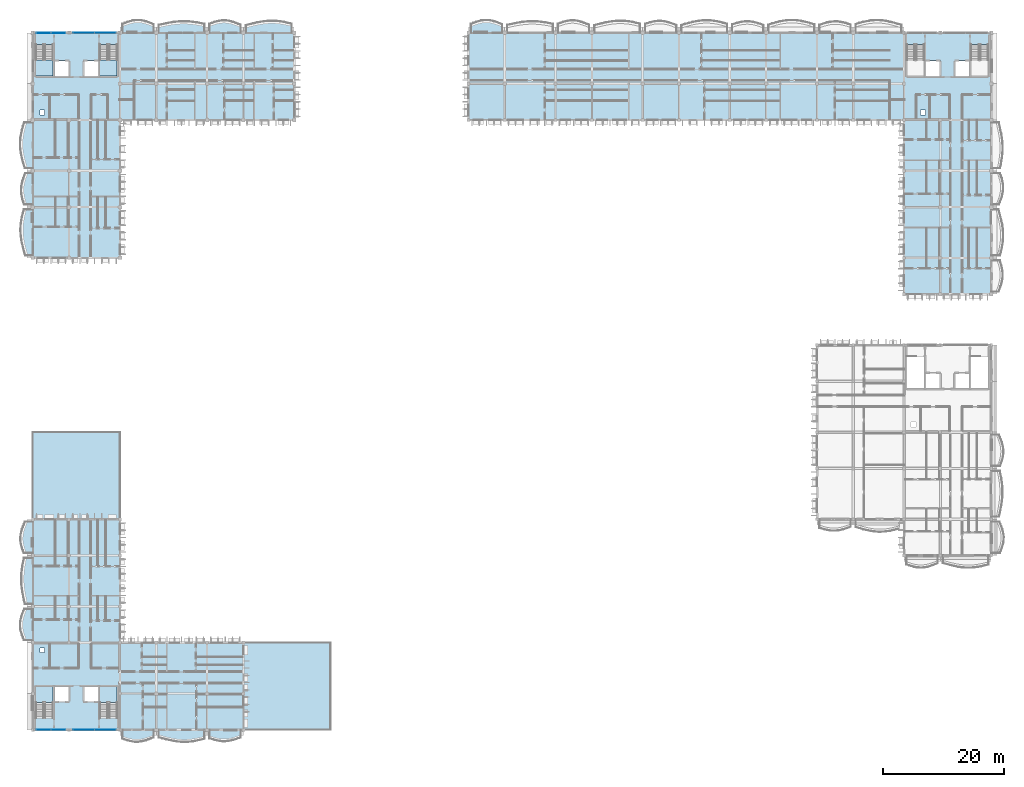
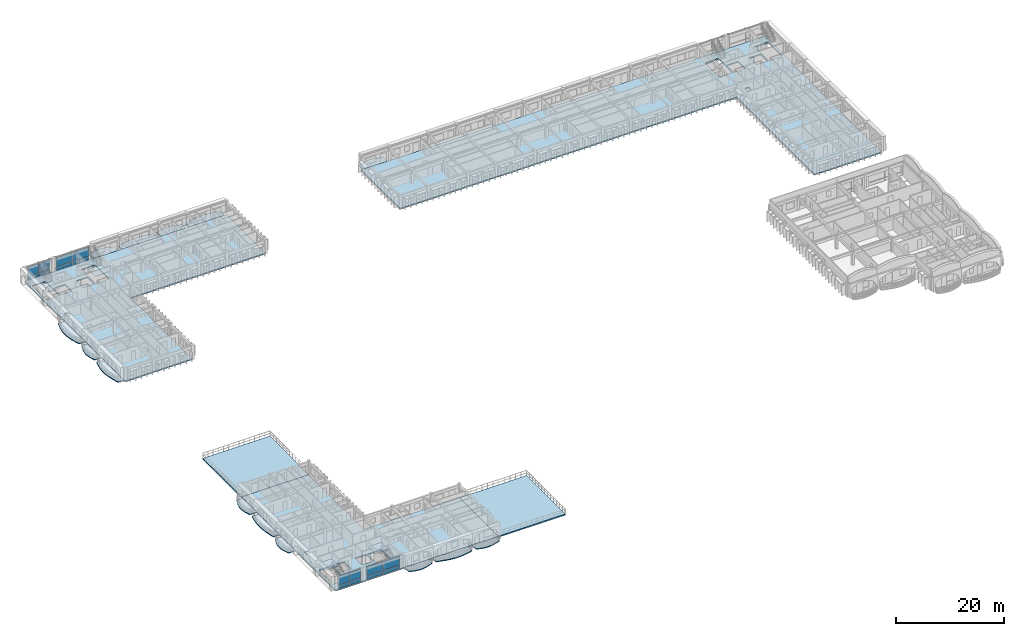
# One storey, part 10 of 59: 23 slabs, 16 plates, 8 elements without a shape of their own.
"""IFC4 building model written with IfcOpenShell, lengths in metres."""

from ifc_helpers import new_model, si_unit, direction, frame, origin, origin_2d, place, context, subcontext, project, spatial, polyline, rectangle, outline, extrude, material, layer, layer_set, type_object, element, aggregate, save


model = new_model("IFC4")

# Units and contexts
model_context = context("Model", 3, precision=1e-05, world=origin(), true_north=direction((0.0, 1.0)))
body_context = subcontext(model_context, "Body", "Model", "MODEL_VIEW")
ifc_project = project(units=[si_unit("LENGTHUNIT", "METRE"), si_unit("AREAUNIT", "SQUARE_METRE"), si_unit("VOLUMEUNIT", "CUBIC_METRE"), si_unit("PLANEANGLEUNIT", "RADIAN"), si_unit("MASSUNIT", "GRAM", prefix="KILO"), si_unit("THERMODYNAMICTEMPERATUREUNIT", "KELVIN")], contexts=[model_context])

# Site, building, storey
site_placement = place(None, origin())
site = spatial("IfcSite", under=ifc_project, at=site_placement, CompositionType="ELEMENT")
building_placement = place(site_placement, origin())
building = spatial("IfcBuilding", under=site, at=building_placement, Name="Thalorik Housing Commons", CompositionType="ELEMENT")
storey_placement = place(building_placement, frame((0.0, 0.0, 27.89990234375)))
storey = spatial("IfcBuildingStorey", under=building, at=storey_placement, Name="L08", CompositionType="ELEMENT", Elevation=27.89990234375)

# Curtain wall, plates
ifc_material_1 = material(Name="Anodised aluminium and solar-control low-E glass", Category="aluminium")
curtain_wall_type = type_object("IfcCurtainWallType", Name="ARC-CW-CORE", PredefinedType="USERDEFINED", material=ifc_material_1)
curtain_wall_1_placement = place(storey_placement, origin())
curtain_wall_1 = element("IfcCurtainWall", 1, at=curtain_wall_1_placement, inside=storey, type_object=curtain_wall_type, Name="L08 Curtain Wall CW-CORE-L08-A-036", ObjectType="CURTAIN WALL", PredefinedType="USERDEFINED")
ifc_material_2 = material(Name="Cobalt blue enamelled aluminium spandrel panel", Category="aluminium")
ifc_layer_1 = layer(ifc_material_2, 0.0458984375, Name="Cobalt blue enamelled aluminium spandrel panel", Category="aluminium")
ifc_layer_set_1 = layer_set([ifc_layer_1], Name="Cobalt blue enamelled aluminium spandrel panel")
plate_type_1 = type_object("IfcPlateType", Name="ARC-CP-BLU-46", PredefinedType="CURTAIN_PANEL", material=ifc_layer_set_1)
plate_1_placement = place(storey_placement, frame((20.375, 123.60009765625, 0.080078125), z_axis=(0.0, 0.0, 1.0), x_axis=(-1.0, 0.0, 0.0)))
plate_1 = element("IfcPlate", 2, at=plate_1_placement, type_object=plate_type_1, Name="CW-CORE-L08-A-036 Spandrel Panel 1", PredefinedType="CURTAIN_PANEL", context=body_context, shape_type="SweptSolid", body=[
    extrude(rectangle(XDim=3.489990234375, YDim=0.0458984375, at=origin_2d()), origin(), (0.0, 0.0, 1.0), 0.760009765625),
])
plate_2_placement = place(storey_placement, frame((16.824951171875, 123.60009765625, 0.080078125), z_axis=(0.0, 0.0, 1.0), x_axis=(-1.0, 0.0, 0.0)))
plate_2 = element("IfcPlate", 3, at=plate_2_placement, type_object=plate_type_1, Name="CW-CORE-L08-A-036 Spandrel Panel 2", PredefinedType="CURTAIN_PANEL", context=body_context, shape_type="SweptSolid", body=[
    extrude(rectangle(XDim=3.489990234375, YDim=0.0458984375, at=origin_2d()), origin(), (0.0, 0.0, 1.0), 0.760009765625),
])
ifc_material_3 = material(Name="Double solar-control low-E glass", Category="glass")
ifc_layer_2 = layer(ifc_material_3, 0.028076171875, Name="Double solar-control low-E glass", Category="glass")
ifc_layer_set_2 = layer_set([ifc_layer_2], Name="Double solar-control low-E glass")
plate_type_2 = type_object("IfcPlateType", Name="ARC-CP-GLZ-28", PredefinedType="CURTAIN_PANEL", material=ifc_layer_set_2)
plate_3_placement = place(storey_placement, frame((20.375, 123.60009765625, 0.920166015625), z_axis=(0.0, 0.0, 1.0), x_axis=(-1.0, 0.0, 0.0)))
plate_3 = element("IfcPlate", 4, at=plate_3_placement, type_object=plate_type_2, Name="CW-CORE-L08-A-036 Vision Panel 1", PredefinedType="CURTAIN_PANEL", context=body_context, shape_type="SweptSolid", body=[
    extrude(rectangle(XDim=3.489990234375, YDim=0.028076171875, at=origin_2d()), origin(), (0.0, 0.0, 1.0), 2.0400390625),
])
plate_4_placement = place(storey_placement, frame((16.824951171875, 123.60009765625, 0.920166015625), z_axis=(0.0, 0.0, 1.0), x_axis=(-1.0, 0.0, 0.0)))
plate_4 = element("IfcPlate", 5, at=plate_4_placement, type_object=plate_type_2, Name="CW-CORE-L08-A-036 Vision Panel 2", PredefinedType="CURTAIN_PANEL", context=body_context, shape_type="SweptSolid", body=[
    extrude(rectangle(XDim=3.489990234375, YDim=0.028076171875, at=origin_2d()), origin(), (0.0, 0.0, 1.0), 2.0400390625),
])
aggregate(curtain_wall_1, [plate_1, plate_3, plate_2, plate_4])

curtain_wall_2_placement = place(storey_placement, origin())
curtain_wall_2 = element("IfcCurtainWall", 6, at=curtain_wall_2_placement, inside=storey, type_object=curtain_wall_type, Name="L08 Curtain Wall CW-CORE-L08-A-037", ObjectType="CURTAIN WALL", PredefinedType="USERDEFINED")
plate_5_placement = place(storey_placement, frame((12.574951171875, 123.60009765625, 0.920166015625), z_axis=(0.0, 0.0, 1.0), x_axis=(-1.0, 0.0, 0.0)))
plate_5 = element("IfcPlate", 7, at=plate_5_placement, type_object=plate_type_2, Name="CW-CORE-L08-A-037 Vision Panel 1", PredefinedType="CURTAIN_PANEL", context=body_context, shape_type="SweptSolid", body=[
    extrude(rectangle(XDim=2.2900390625, YDim=0.028076171875, at=origin_2d()), origin(), (0.0, 0.0, 1.0), 2.0400390625),
])
plate_6_placement = place(storey_placement, frame((10.22509765625, 123.60009765625, 0.920166015625), z_axis=(0.0, 0.0, 1.0), x_axis=(-1.0, 0.0, 0.0)))
plate_6 = element("IfcPlate", 8, at=plate_6_placement, type_object=plate_type_2, Name="CW-CORE-L08-A-037 Vision Panel 2", PredefinedType="CURTAIN_PANEL", context=body_context, shape_type="SweptSolid", body=[
    extrude(rectangle(XDim=2.2900390625, YDim=0.028076171875, at=origin_2d()), origin(), (0.0, 0.0, 1.0), 2.0400390625),
])

curtain_wall_3_placement = place(storey_placement, origin())
curtain_wall_3 = element("IfcCurtainWall", 9, at=curtain_wall_3_placement, inside=storey, type_object=curtain_wall_type, Name="L08 Curtain Wall CW-CORE-L08-C-162", ObjectType="CURTAIN WALL", PredefinedType="USERDEFINED")
plate_7_placement = place(storey_placement, frame((10.22509765625, 8.39990234375, 0.920166015625), z_axis=(0.0, 0.0, 1.0), x_axis=(1.0, 0.0, 0.0)))
plate_7 = element("IfcPlate", 10, at=plate_7_placement, type_object=plate_type_2, Name="CW-CORE-L08-C-162 Vision Panel 1", PredefinedType="CURTAIN_PANEL", context=body_context, shape_type="SweptSolid", body=[
    extrude(rectangle(XDim=2.2900390625, YDim=0.028076171875, at=origin_2d()), origin(), (0.0, 0.0, 1.0), 2.0400390625),
])
plate_8_placement = place(storey_placement, frame((12.574951171875, 8.39990234375, 0.920166015625), z_axis=(0.0, 0.0, 1.0), x_axis=(1.0, 0.0, 0.0)))
plate_8 = element("IfcPlate", 11, at=plate_8_placement, type_object=plate_type_2, Name="CW-CORE-L08-C-162 Vision Panel 2", PredefinedType="CURTAIN_PANEL", context=body_context, shape_type="SweptSolid", body=[
    extrude(rectangle(XDim=2.2900390625, YDim=0.028076171875, at=origin_2d()), origin(), (0.0, 0.0, 1.0), 2.0400390625),
])

curtain_wall_4_placement = place(storey_placement, origin())
curtain_wall_4 = element("IfcCurtainWall", 12, at=curtain_wall_4_placement, inside=storey, type_object=curtain_wall_type, Name="L08 Curtain Wall CW-CORE-L08-C-163", ObjectType="CURTAIN WALL", PredefinedType="USERDEFINED")
plate_9_placement = place(storey_placement, frame((16.824951171875, 8.39990234375, 0.920166015625), z_axis=(0.0, 0.0, 1.0), x_axis=(1.0, 0.0, 0.0)))
plate_9 = element("IfcPlate", 13, at=plate_9_placement, type_object=plate_type_2, Name="CW-CORE-L08-C-163 Vision Panel 1", PredefinedType="CURTAIN_PANEL", context=body_context, shape_type="SweptSolid", body=[
    extrude(rectangle(XDim=3.489990234375, YDim=0.028076171875, at=origin_2d()), origin(), (0.0, 0.0, 1.0), 2.0400390625),
])
plate_10_placement = place(storey_placement, frame((20.375, 8.39990234375, 0.920166015625), z_axis=(0.0, 0.0, 1.0), x_axis=(1.0, 0.0, 0.0)))
plate_10 = element("IfcPlate", 14, at=plate_10_placement, type_object=plate_type_2, Name="CW-CORE-L08-C-163 Vision Panel 2", PredefinedType="CURTAIN_PANEL", context=body_context, shape_type="SweptSolid", body=[
    extrude(rectangle(XDim=3.489990234375, YDim=0.028076171875, at=origin_2d()), origin(), (0.0, 0.0, 1.0), 2.0400390625),
])
ifc_material_4 = material(Name="Oxide red enamelled aluminium spandrel panel", Category="aluminium")
ifc_layer_3 = layer(ifc_material_4, 0.0419921875, Name="Oxide red enamelled aluminium spandrel panel", Category="aluminium")
ifc_layer_set_3 = layer_set([ifc_layer_3], Name="Oxide red enamelled aluminium spandrel panel")
plate_type_3 = type_object("IfcPlateType", Name="ARC-CP-RED-42", PredefinedType="CURTAIN_PANEL", material=ifc_layer_set_3)
plate_11_placement = place(storey_placement, frame((16.824951171875, 8.39990234375, 0.080078125), z_axis=(0.0, 0.0, 1.0), x_axis=(1.0, 0.0, 0.0)))
plate_11 = element("IfcPlate", 15, at=plate_11_placement, type_object=plate_type_3, Name="CW-CORE-L08-C-163 Spandrel Panel 1", PredefinedType="CURTAIN_PANEL", context=body_context, shape_type="SweptSolid", body=[
    extrude(rectangle(XDim=3.489990234375, YDim=0.0419921875, at=origin_2d()), origin(), (0.0, 0.0, 1.0), 0.760009765625),
])
plate_12_placement = place(storey_placement, frame((20.375, 8.39990234375, 0.080078125), z_axis=(0.0, 0.0, 1.0), x_axis=(1.0, 0.0, 0.0)))
plate_12 = element("IfcPlate", 16, at=plate_12_placement, type_object=plate_type_3, Name="CW-CORE-L08-C-163 Spandrel Panel 2", PredefinedType="CURTAIN_PANEL", context=body_context, shape_type="SweptSolid", body=[
    extrude(rectangle(XDim=3.489990234375, YDim=0.0419921875, at=origin_2d()), origin(), (0.0, 0.0, 1.0), 0.760009765625),
])
aggregate(curtain_wall_4, [plate_11, plate_9, plate_12, plate_10])

# Plate
ifc_material_5 = material(Name="Mineral ochre yellow aluminium spandrel panel", Category="aluminium")
ifc_layer_4 = layer(ifc_material_5, 0.050048828125, Name="Mineral ochre yellow aluminium spandrel panel", Category="aluminium")
ifc_layer_set_4 = layer_set([ifc_layer_4], Name="Mineral ochre yellow aluminium spandrel panel")
plate_type_4 = type_object("IfcPlateType", Name="ARC-CP-YEL-50", PredefinedType="CURTAIN_PANEL", material=ifc_layer_set_4)
plate_13_placement = place(storey_placement, frame((12.574951171875, 123.60009765625, 0.080078125), z_axis=(0.0, 0.0, 1.0), x_axis=(-1.0, 0.0, 0.0)))
plate_13 = element("IfcPlate", 17, at=plate_13_placement, type_object=plate_type_4, Name="CW-CORE-L08-A-037 Spandrel Panel 1", PredefinedType="CURTAIN_PANEL", context=body_context, shape_type="SweptSolid", body=[
    extrude(rectangle(XDim=2.2900390625, YDim=0.050048828125, at=origin_2d()), origin(), (0.0, 0.0, 1.0), 0.760009765625),
])

plate_14_placement = place(storey_placement, frame((10.22509765625, 123.60009765625, 0.080078125), z_axis=(0.0, 0.0, 1.0), x_axis=(-1.0, 0.0, 0.0)))
plate_14 = element("IfcPlate", 18, at=plate_14_placement, type_object=plate_type_4, Name="CW-CORE-L08-A-037 Spandrel Panel 2", PredefinedType="CURTAIN_PANEL", context=body_context, shape_type="SweptSolid", body=[
    extrude(rectangle(XDim=2.2900390625, YDim=0.050048828125, at=origin_2d()), origin(), (0.0, 0.0, 1.0), 0.760009765625),
])

aggregate(curtain_wall_2, [plate_13, plate_5, plate_14, plate_6])

plate_15_placement = place(storey_placement, frame((10.22509765625, 8.39990234375, 0.080078125), z_axis=(0.0, 0.0, 1.0), x_axis=(1.0, 0.0, 0.0)))
plate_15 = element("IfcPlate", 19, at=plate_15_placement, type_object=plate_type_4, Name="CW-CORE-L08-C-162 Spandrel Panel 1", PredefinedType="CURTAIN_PANEL", context=body_context, shape_type="SweptSolid", body=[
    extrude(rectangle(XDim=2.2900390625, YDim=0.050048828125, at=origin_2d()), origin(), (0.0, 0.0, 1.0), 0.760009765625),
])

plate_16_placement = place(storey_placement, frame((12.574951171875, 8.39990234375, 0.080078125), z_axis=(0.0, 0.0, 1.0), x_axis=(1.0, 0.0, 0.0)))
plate_16 = element("IfcPlate", 20, at=plate_16_placement, type_object=plate_type_4, Name="CW-CORE-L08-C-162 Spandrel Panel 2", PredefinedType="CURTAIN_PANEL", context=body_context, shape_type="SweptSolid", body=[
    extrude(rectangle(XDim=2.2900390625, YDim=0.050048828125, at=origin_2d()), origin(), (0.0, 0.0, 1.0), 0.760009765625),
])

aggregate(curtain_wall_3, [plate_15, plate_7, plate_16, plate_8])

# Stair, slab
ifc_material_6 = material(Name="Precast concrete C40/50", Category="concrete")
stair_type = type_object("IfcStairType", Name="ARC-STR-1350-R20", PredefinedType="HALF_TURN_STAIR", material=ifc_material_6)
stair_1_placement = place(storey_placement, origin())
stair_1 = element("IfcStair", 21, at=stair_1_placement, inside=storey, type_object=stair_type, Name="L08 Block A Smoke-Proof Stair 1", PredefinedType="HALF_TURN_STAIR")
ifc_layer_5 = layer(ifc_material_6, 0.199951171875, Name="Precast concrete C40/50", Category="concrete")
ifc_layer_set_5 = layer_set([ifc_layer_5], Name="Precast concrete C40/50")
slab_type_1 = type_object("IfcSlabType", Name="ARC-SLB-STLND-200", PredefinedType="LANDING", material=ifc_layer_set_5)
slab_1_placement = place(storey_placement, frame((0.0, 0.0, 1.4501953125)))
slab_1 = element("IfcSlab", 22, at=slab_1_placement, type_object=slab_type_1, Name="ST-A1 landing 1", PredefinedType="LANDING", context=body_context, shape_type="SweptSolid", body=[
    extrude(outline(polyline([(8.85009765625, 119.090087890625), (8.85009765625, 116.449951171875), (11.75, 116.449951171875), (11.75, 119.090087890625), (8.85009765625, 119.090087890625)])), origin(), (0.0, 0.0, 1.0), 0.199951171875),
])
aggregate(stair_1, [slab_1])

stair_2_placement = place(storey_placement, origin())
stair_2 = element("IfcStair", 23, at=stair_2_placement, inside=storey, type_object=stair_type, Name="L08 Block A Smoke-Proof Stair 2", PredefinedType="HALF_TURN_STAIR")
slab_2_placement = place(storey_placement, frame((0.0, 0.0, 1.4501953125)))
slab_2 = element("IfcSlab", 24, at=slab_2_placement, type_object=slab_type_1, Name="ST-A2 landing 1", PredefinedType="LANDING", context=body_context, shape_type="SweptSolid", body=[
    extrude(outline(polyline([(19.449951171875, 119.090087890625), (19.449951171875, 116.449951171875), (22.35009765625, 116.449951171875), (22.35009765625, 119.090087890625), (19.449951171875, 119.090087890625)])), origin(), (0.0, 0.0, 1.0), 0.199951171875),
])
aggregate(stair_2, [slab_2])

stair_3_placement = place(storey_placement, origin())
stair_3 = element("IfcStair", 25, at=stair_3_placement, inside=storey, type_object=stair_type, Name="L08 Block C Smoke-Proof Stair 1", PredefinedType="HALF_TURN_STAIR")
slab_3_placement = place(storey_placement, frame((0.0, 0.0, 1.4501953125)))
slab_3 = element("IfcSlab", 26, at=slab_3_placement, type_object=slab_type_1, Name="ST-C1 landing 1", PredefinedType="LANDING", context=body_context, shape_type="SweptSolid", body=[
    extrude(outline(polyline([(11.75, 12.909912109375), (11.75, 15.550048828125), (8.85009765625, 15.550048828125), (8.85009765625, 12.909912109375), (11.75, 12.909912109375)])), origin(), (0.0, 0.0, 1.0), 0.199951171875),
])
aggregate(stair_3, [slab_3])

stair_4_placement = place(storey_placement, origin())
stair_4 = element("IfcStair", 27, at=stair_4_placement, inside=storey, type_object=stair_type, Name="L08 Block C Smoke-Proof Stair 2", PredefinedType="HALF_TURN_STAIR")
slab_4_placement = place(storey_placement, frame((0.0, 0.0, 1.4501953125)))
slab_4 = element("IfcSlab", 28, at=slab_4_placement, type_object=slab_type_1, Name="ST-C2 landing 1", PredefinedType="LANDING", context=body_context, shape_type="SweptSolid", body=[
    extrude(outline(polyline([(22.35009765625, 12.909912109375), (22.35009765625, 15.550048828125), (19.449951171875, 15.550048828125), (19.449951171875, 12.909912109375), (22.35009765625, 12.909912109375)])), origin(), (0.0, 0.0, 1.0), 0.199951171875),
])
aggregate(stair_4, [slab_4])

# Slabs
ifc_layer_6 = layer(ifc_material_6, 0.199951171875, Name="Precast concrete C40/50", Category="concrete")
ifc_layer_set_6 = layer_set([ifc_layer_6], Name="Precast concrete C40/50")
slab_type_2 = type_object("IfcSlabType", Name="STR-SLB-BALC-200", PredefinedType="FLOOR", material=ifc_layer_set_6)
slab_5_placement = place(storey_placement, frame((0.0, 0.0, -0.199951171875)))
element("IfcSlab", 29, at=slab_5_placement, inside=storey, type_object=slab_type_2, Name="L08 Block A Cushion Balcony 55", PredefinedType="FLOOR", context=body_context, shape_type="SweptSolid", body=[
    extrude(outline(polyline([(23.219970703125, 123.60009765625), (28.3798828125, 123.60009765625), (28.3798828125, 124.99072265625), (27.949951171875, 125.17041015625), (27.52001953125, 125.338134765625), (27.090087890625, 125.482421875), (26.659912109375, 125.5947265625), (26.22998046875, 125.667236328125), (25.800048828125, 125.69580078125), (25.3701171875, 125.6787109375), (24.93994140625, 125.6171875), (24.510009765625, 125.515380859375), (24.080078125, 125.380126953125), (23.64990234375, 125.22021484375), (23.219970703125, 125.04638671875), (23.219970703125, 123.60009765625)])), origin(), (0.0, 0.0, 1.0), 0.199951171875),
])
slab_6_placement = place(storey_placement, frame((0.0, 0.0, -0.199951171875)))
element("IfcSlab", 30, at=slab_6_placement, inside=storey, type_object=slab_type_2, Name="L08 Block A Cushion Balcony 57", PredefinedType="FLOOR", context=body_context, shape_type="SweptSolid", body=[
    extrude(outline(polyline([(37.6201171875, 123.60009765625), (42.780029296875, 123.60009765625), (42.780029296875, 124.901611328125), (42.35009765625, 125.07958984375), (41.919921875, 125.248291015625), (41.489990234375, 125.397216796875), (41.06005859375, 125.5166015625), (40.6298828125, 125.599365234375), (40.199951171875, 125.640380859375), (39.77001953125, 125.6376953125), (39.340087890625, 125.592041015625), (38.909912109375, 125.507080078125), (38.47998046875, 125.388916015625), (38.050048828125, 125.24560546875), (37.6201171875, 125.087646484375), (37.6201171875, 123.60009765625)])), origin(), (0.0, 0.0, 1.0), 0.199951171875),
])
slab_7_placement = place(storey_placement, frame((0.0, 0.0, -0.199951171875)))
element("IfcSlab", 31, at=slab_7_placement, inside=storey, type_object=slab_type_2, Name="L08 Block A Cushion Balcony 60", PredefinedType="FLOOR", context=body_context, shape_type="SweptSolid", body=[
    extrude(outline(polyline([(8.39990234375, 95.219970703125), (8.39990234375, 100.3798828125), (7.1474609375, 100.3798828125), (6.99169921875, 99.949951171875), (6.84228515625, 99.52001953125), (6.7099609375, 99.090087890625), (6.60302734375, 98.659912109375), (6.528564453125, 98.22998046875), (6.491455078125, 97.800048828125), (6.493408203125, 97.3701171875), (6.53369140625, 96.93994140625), (6.609130859375, 96.510009765625), (6.713623046875, 96.080078125), (6.83935546875, 95.64990234375), (6.97705078125, 95.219970703125), (8.39990234375, 95.219970703125)])), origin(), (0.0, 0.0, 1.0), 0.199951171875),
])
slab_8_placement = place(storey_placement, frame((0.0, 0.0, -0.199951171875)))
element("IfcSlab", 32, at=slab_8_placement, inside=storey, type_object=slab_type_2, Name="L08 Block B Cushion Balcony 196", PredefinedType="FLOOR", context=body_context, shape_type="SweptSolid", body=[
    extrude(outline(polyline([(80.820068359375, 123.60009765625), (85.97998046875, 123.60009765625), (85.97998046875, 124.99072265625), (85.550048828125, 125.17041015625), (85.1201171875, 125.338134765625), (84.68994140625, 125.482421875), (84.260009765625, 125.5947265625), (83.830078125, 125.667236328125), (83.39990234375, 125.69580078125), (82.969970703125, 125.6787109375), (82.5400390625, 125.6171875), (82.110107421875, 125.515380859375), (81.679931640625, 125.380126953125), (81.25, 125.22021484375), (80.820068359375, 125.04638671875), (80.820068359375, 123.60009765625)])), origin(), (0.0, 0.0, 1.0), 0.199951171875),
])
slab_9_placement = place(storey_placement, frame((0.0, 0.0, -0.199951171875)))
element("IfcSlab", 33, at=slab_9_placement, inside=storey, type_object=slab_type_2, Name="L08 Block C Cushion Balcony 311", PredefinedType="FLOOR", context=body_context, shape_type="SweptSolid", body=[
    extrude(outline(polyline([(8.39990234375, 23.219970703125), (8.39990234375, 28.3798828125), (7.00927734375, 28.3798828125), (6.82958984375, 27.949951171875), (6.661865234375, 27.52001953125), (6.517578125, 27.090087890625), (6.4052734375, 26.659912109375), (6.332763671875, 26.22998046875), (6.30419921875, 25.800048828125), (6.3212890625, 25.3701171875), (6.3828125, 24.93994140625), (6.484619140625, 24.510009765625), (6.619873046875, 24.080078125), (6.77978515625, 23.64990234375), (6.95361328125, 23.219970703125), (8.39990234375, 23.219970703125)])), origin(), (0.0, 0.0, 1.0), 0.199951171875),
])
slab_10_placement = place(storey_placement, frame((0.0, 0.0, -0.199951171875)))
element("IfcSlab", 34, at=slab_10_placement, inside=storey, type_object=slab_type_2, Name="L08 Block C Cushion Balcony 313", PredefinedType="FLOOR", context=body_context, shape_type="SweptSolid", body=[
    extrude(outline(polyline([(8.39990234375, 37.6201171875), (8.39990234375, 42.780029296875), (7.098388671875, 42.780029296875), (6.92041015625, 42.35009765625), (6.751708984375, 41.919921875), (6.602783203125, 41.489990234375), (6.4833984375, 41.06005859375), (6.400634765625, 40.6298828125), (6.359619140625, 40.199951171875), (6.3623046875, 39.77001953125), (6.407958984375, 39.340087890625), (6.492919921875, 38.909912109375), (6.611083984375, 38.47998046875), (6.75439453125, 38.050048828125), (6.912353515625, 37.6201171875), (8.39990234375, 37.6201171875)])), origin(), (0.0, 0.0, 1.0), 0.199951171875),
])
slab_11_placement = place(storey_placement, frame((0.0, 0.0, -0.199951171875)))
element("IfcSlab", 35, at=slab_11_placement, inside=storey, type_object=slab_type_2, Name="L08 Block C Cushion Balcony 314", PredefinedType="FLOOR", context=body_context, shape_type="SweptSolid", body=[
    extrude(outline(polyline([(23.219970703125, 6.917724609375), (23.64990234375, 6.768310546875), (24.080078125, 6.63330078125), (24.510009765625, 6.522216796875), (24.93994140625, 6.443359375), (25.3701171875, 6.402587890625), (25.800048828125, 6.403564453125), (26.22998046875, 6.446533203125), (26.659912109375, 6.52978515625), (27.090087890625, 6.648193359375), (27.52001953125, 6.794189453125), (27.949951171875, 6.95849609375), (28.3798828125, 7.130859375), (28.3798828125, 8.39990234375), (23.219970703125, 8.39990234375), (23.219970703125, 6.917724609375)])), origin(), (0.0, 0.0, 1.0), 0.199951171875),
])
slab_12_placement = place(storey_placement, frame((0.0, 0.0, -0.199951171875)))
element("IfcSlab", 36, at=slab_12_placement, inside=storey, type_object=slab_type_2, Name="L08 Block C Cushion Balcony 316", PredefinedType="FLOOR", context=body_context, shape_type="SweptSolid", body=[
    extrude(outline(polyline([(37.6201171875, 6.97705078125), (38.050048828125, 6.83935546875), (38.47998046875, 6.713623046875), (38.909912109375, 6.609130859375), (39.340087890625, 6.53369140625), (39.77001953125, 6.493408203125), (40.199951171875, 6.491455078125), (40.6298828125, 6.528564453125), (41.06005859375, 6.60302734375), (41.489990234375, 6.7099609375), (41.919921875, 6.84228515625), (42.35009765625, 6.99169921875), (42.780029296875, 7.1474609375), (42.780029296875, 8.39990234375), (37.6201171875, 8.39990234375), (37.6201171875, 6.97705078125)])), origin(), (0.0, 0.0, 1.0), 0.199951171875),
])
ifc_layer_7 = layer(ifc_material_6, 0.219970703125, Name="Precast concrete C40/50", Category="concrete")
ifc_layer_set_7 = layer_set([ifc_layer_7], Name="Precast concrete C40/50")
slab_type_3 = type_object("IfcSlabType", Name="STR-SLB-BALC-220", PredefinedType="FLOOR", material=ifc_layer_set_7)
slab_13_placement = place(storey_placement, frame((0.0, 0.0, -0.219970703125)))
element("IfcSlab", 37, at=slab_13_placement, inside=storey, type_object=slab_type_3, Name="L08 Block A Cushion Balcony 56", PredefinedType="FLOOR", context=body_context, shape_type="SweptSolid", body=[
    extrude(outline(polyline([(29.219970703125, 123.60009765625), (36.780029296875, 123.60009765625), (36.780029296875, 125.048583984375), (36.14990234375, 125.179931640625), (35.52001953125, 125.296630859375), (34.889892578125, 125.390869140625), (34.260009765625, 125.456298828125), (33.6298828125, 125.489013671875), (33.0, 125.486572265625), (32.3701171875, 125.44970703125), (31.739990234375, 125.380615234375), (31.110107421875, 125.284423828125), (30.47998046875, 125.16748046875), (29.85009765625, 125.037841796875), (29.219970703125, 124.904296875), (29.219970703125, 123.60009765625)])), origin(), (0.0, 0.0, 1.0), 0.219970703125),
])
slab_14_placement = place(storey_placement, frame((0.0, 0.0, -0.219970703125)))
element("IfcSlab", 38, at=slab_14_placement, inside=storey, type_object=slab_type_3, Name="L08 Block A Cushion Balcony 58", PredefinedType="FLOOR", context=body_context, shape_type="SweptSolid", body=[
    extrude(outline(polyline([(43.6201171875, 123.60009765625), (51.179931640625, 123.60009765625), (51.179931640625, 125.087890625), (50.550048828125, 125.239990234375), (49.919921875, 125.373046875), (49.2900390625, 125.477783203125), (48.659912109375, 125.54736328125), (48.030029296875, 125.5771484375), (47.39990234375, 125.5654296875), (46.77001953125, 125.51318359375), (46.139892578125, 125.424072265625), (45.510009765625, 125.3046875), (44.8798828125, 125.162841796875), (44.25, 125.0087890625), (43.6201171875, 124.8525390625), (43.6201171875, 123.60009765625)])), origin(), (0.0, 0.0, 1.0), 0.219970703125),
])
slab_15_placement = place(storey_placement, frame((0.0, 0.0, -0.219970703125)))
element("IfcSlab", 39, at=slab_15_placement, inside=storey, type_object=slab_type_3, Name="L08 Block A Cushion Balcony 59", PredefinedType="FLOOR", context=body_context, shape_type="SweptSolid", body=[
    extrude(outline(polyline([(8.39990234375, 86.820068359375), (8.39990234375, 94.3798828125), (6.918701171875, 94.3798828125), (6.75390625, 93.75), (6.608642578125, 93.1201171875), (6.492919921875, 92.489990234375), (6.414794921875, 91.860107421875), (6.37890625, 91.22998046875), (6.38818359375, 90.60009765625), (6.44140625, 89.969970703125), (6.534912109375, 89.340087890625), (6.661865234375, 88.7099609375), (6.8134765625, 88.080078125), (6.979248046875, 87.449951171875), (7.14794921875, 86.820068359375), (8.39990234375, 86.820068359375)])), origin(), (0.0, 0.0, 1.0), 0.219970703125),
])
slab_16_placement = place(storey_placement, frame((0.0, 0.0, -0.219970703125)))
element("IfcSlab", 40, at=slab_16_placement, inside=storey, type_object=slab_type_3, Name="L08 Block A Cushion Balcony 61", PredefinedType="FLOOR", context=body_context, shape_type="SweptSolid", body=[
    extrude(outline(polyline([(8.39990234375, 101.219970703125), (8.39990234375, 108.780029296875), (6.979736328125, 108.780029296875), (6.794189453125, 108.14990234375), (6.625244140625, 107.52001953125), (6.484619140625, 106.889892578125), (6.382080078125, 106.260009765625), (6.324462890625, 105.6298828125), (6.31591796875, 105.0), (6.356689453125, 104.3701171875), (6.444091796875, 103.739990234375), (6.572021484375, 103.110107421875), (6.731201171875, 102.47998046875), (6.910888671875, 101.85009765625), (7.098388671875, 101.219970703125), (8.39990234375, 101.219970703125)])), origin(), (0.0, 0.0, 1.0), 0.219970703125),
])
slab_17_placement = place(storey_placement, frame((0.0, 0.0, -0.219970703125)))
element("IfcSlab", 41, at=slab_17_placement, inside=storey, type_object=slab_type_3, Name="L08 Block C Cushion Balcony 312", PredefinedType="FLOOR", context=body_context, shape_type="SweptSolid", body=[
    extrude(outline(polyline([(8.39990234375, 29.219970703125), (8.39990234375, 36.780029296875), (6.951416015625, 36.780029296875), (6.820068359375, 36.14990234375), (6.703369140625, 35.52001953125), (6.609130859375, 34.889892578125), (6.543701171875, 34.260009765625), (6.510986328125, 33.6298828125), (6.513427734375, 33.0), (6.55029296875, 32.3701171875), (6.619384765625, 31.739990234375), (6.715576171875, 31.110107421875), (6.83251953125, 30.47998046875), (6.962158203125, 29.85009765625), (7.095703125, 29.219970703125), (8.39990234375, 29.219970703125)])), origin(), (0.0, 0.0, 1.0), 0.219970703125),
])
slab_18_placement = place(storey_placement, frame((0.0, 0.0, -0.219970703125)))
element("IfcSlab", 42, at=slab_18_placement, inside=storey, type_object=slab_type_3, Name="L08 Block C Cushion Balcony 315", PredefinedType="FLOOR", context=body_context, shape_type="SweptSolid", body=[
    extrude(outline(polyline([(29.219970703125, 7.14794921875), (29.85009765625, 6.979248046875), (30.47998046875, 6.8134765625), (31.110107421875, 6.661865234375), (31.739990234375, 6.534912109375), (32.3701171875, 6.44140625), (33.0, 6.38818359375), (33.6298828125, 6.37890625), (34.260009765625, 6.414794921875), (34.889892578125, 6.492919921875), (35.52001953125, 6.608642578125), (36.14990234375, 6.75390625), (36.780029296875, 6.918701171875), (36.780029296875, 8.39990234375), (29.219970703125, 8.39990234375), (29.219970703125, 7.14794921875)])), origin(), (0.0, 0.0, 1.0), 0.219970703125),
])
ifc_material_7 = material(Name="Precast concrete C45/55", Category="concrete")
ifc_layer_8 = layer(ifc_material_7, 0.260009765625, Name="Precast concrete C45/55", Category="concrete")
ifc_layer_set_8 = layer_set([ifc_layer_8], Name="Precast concrete C45/55")
slab_type_4 = type_object("IfcSlabType", Name="STR-SLB-HC-260", PredefinedType="FLOOR", material=ifc_layer_set_8)
slab_19_placement = place(storey_placement, frame((0.0, 0.0, -0.260009765625)))
element("IfcSlab", 43, at=slab_19_placement, inside=storey, type_object=slab_type_4, Name="L08 Residential Block A Floor Slab", PredefinedType="FLOOR", context=body_context, shape_type="SweptSolid", body=[
    extrude(outline(polyline([(8.39990234375, 123.60009765625), (8.39990234375, 109.199951171875), (8.39990234375, 86.39990234375), (22.800048828125, 86.39990234375), (22.800048828125, 109.199951171875), (51.60009765625, 109.199951171875), (51.60009765625, 123.60009765625), (8.39990234375, 123.60009765625)]), holes=[polyline([(8.85009765625, 121.64990234375), (11.75, 121.64990234375), (11.75, 116.449951171875), (8.85009765625, 116.449951171875), (8.85009765625, 121.64990234375)]), polyline([(22.35009765625, 121.64990234375), (22.35009765625, 116.449951171875), (19.449951171875, 116.449951171875), (19.449951171875, 121.64990234375), (22.35009765625, 121.64990234375)]), polyline([(14.39990234375, 119.0), (14.39990234375, 116.449951171875), (12.0, 116.449951171875), (12.0, 119.0), (14.39990234375, 119.0)]), polyline([(19.199951171875, 116.449951171875), (16.800048828125, 116.449951171875), (16.800048828125, 119.0), (19.199951171875, 119.0), (19.199951171875, 116.449951171875)]), polyline([(9.550048828125, 110.050048828125), (9.550048828125, 110.85009765625), (10.35009765625, 110.85009765625), (10.35009765625, 110.050048828125), (9.550048828125, 110.050048828125)])]), origin(), (0.0, 0.0, 1.0), 0.260009765625),
])
slab_20_placement = place(storey_placement, frame((0.0, 0.0, -0.260009765625)))
element("IfcSlab", 44, at=slab_20_placement, inside=storey, type_object=slab_type_4, Name="L08 Residential Block B Floor Slab", PredefinedType="FLOOR", context=body_context, shape_type="SweptSolid", body=[
    extrude(outline(polyline([(80.39990234375, 109.199951171875), (152.39990234375, 109.199951171875), (152.39990234375, 80.39990234375), (166.800048828125, 80.39990234375), (166.800048828125, 109.199951171875), (166.800048828125, 123.60009765625), (80.39990234375, 123.60009765625), (80.39990234375, 109.199951171875)]), holes=[polyline([(152.85009765625, 121.64990234375), (155.75, 121.64990234375), (155.75, 116.449951171875), (152.85009765625, 116.449951171875), (152.85009765625, 121.64990234375)]), polyline([(166.35009765625, 121.64990234375), (166.35009765625, 116.449951171875), (163.449951171875, 116.449951171875), (163.449951171875, 121.64990234375), (166.35009765625, 121.64990234375)]), polyline([(158.39990234375, 119.0), (158.39990234375, 116.449951171875), (156.0, 116.449951171875), (156.0, 119.0), (158.39990234375, 119.0)]), polyline([(163.199951171875, 116.449951171875), (160.800048828125, 116.449951171875), (160.800048828125, 119.0), (163.199951171875, 119.0), (163.199951171875, 116.449951171875)]), polyline([(155.14990234375, 110.050048828125), (155.14990234375, 110.85009765625), (155.949951171875, 110.85009765625), (155.949951171875, 110.050048828125), (155.14990234375, 110.050048828125)])]), origin(), (0.0, 0.0, 1.0), 0.260009765625),
])
slab_21_placement = place(storey_placement, frame((0.0, 0.0, -0.260009765625)))
element("IfcSlab", 45, at=slab_21_placement, inside=storey, type_object=slab_type_4, Name="L08 Residential Block C Floor Slab", PredefinedType="FLOOR", context=body_context, shape_type="SweptSolid", body=[
    extrude(outline(polyline([(8.39990234375, 8.39990234375), (22.800048828125, 8.39990234375), (43.199951171875, 8.39990234375), (43.199951171875, 22.800048828125), (22.800048828125, 22.800048828125), (22.800048828125, 43.199951171875), (8.39990234375, 43.199951171875), (8.39990234375, 8.39990234375)]), holes=[polyline([(11.75, 10.35009765625), (8.85009765625, 10.35009765625), (8.85009765625, 15.550048828125), (11.75, 15.550048828125), (11.75, 10.35009765625)]), polyline([(19.449951171875, 10.35009765625), (19.449951171875, 15.550048828125), (22.35009765625, 15.550048828125), (22.35009765625, 10.35009765625), (19.449951171875, 10.35009765625)]), polyline([(14.39990234375, 15.550048828125), (14.39990234375, 13.0), (12.0, 13.0), (12.0, 15.550048828125), (14.39990234375, 15.550048828125)]), polyline([(19.199951171875, 13.0), (16.800048828125, 13.0), (16.800048828125, 15.550048828125), (19.199951171875, 15.550048828125), (19.199951171875, 13.0)]), polyline([(9.550048828125, 21.14990234375), (9.550048828125, 21.949951171875), (10.35009765625, 21.949951171875), (10.35009765625, 21.14990234375), (9.550048828125, 21.14990234375)])]), origin(), (0.0, 0.0, 1.0), 0.260009765625),
])
ifc_layer_9 = layer(ifc_material_7, 0.280029296875, Name="Precast concrete C45/55", Category="concrete")
ifc_layer_set_9 = layer_set([ifc_layer_9], Name="Precast concrete C45/55")
slab_type_5 = type_object("IfcSlabType", Name="STR-SLB-TERR-280", PredefinedType="FLOOR", material=ifc_layer_set_9)
slab_22_placement = place(storey_placement, frame((0.0, 0.0, -0.27978515625)))
element("IfcSlab", 46, at=slab_22_placement, inside=storey, type_object=slab_type_5, Name="L08 Block C L08 North Roof Terrace", PredefinedType="FLOOR", context=body_context, shape_type="SweptSolid", body=[
    extrude(outline(polyline([(22.800048828125, 43.199951171875), (22.800048828125, 57.60009765625), (8.39990234375, 57.60009765625), (8.39990234375, 43.199951171875), (22.800048828125, 43.199951171875)])), origin(), (0.0, 0.0, 1.0), 0.27978515625),
])
slab_23_placement = place(storey_placement, frame((0.0, 0.0, -0.27978515625)))
element("IfcSlab", 47, at=slab_23_placement, inside=storey, type_object=slab_type_5, Name="L08 Block C L08 East Roof Terrace", PredefinedType="FLOOR", context=body_context, shape_type="SweptSolid", body=[
    extrude(outline(polyline([(57.60009765625, 8.39990234375), (57.60009765625, 22.800048828125), (43.199951171875, 22.800048828125), (43.199951171875, 8.39990234375), (57.60009765625, 8.39990234375)])), origin(), (0.0, 0.0, 1.0), 0.27978515625),
])

save(model, "model.ifc")
